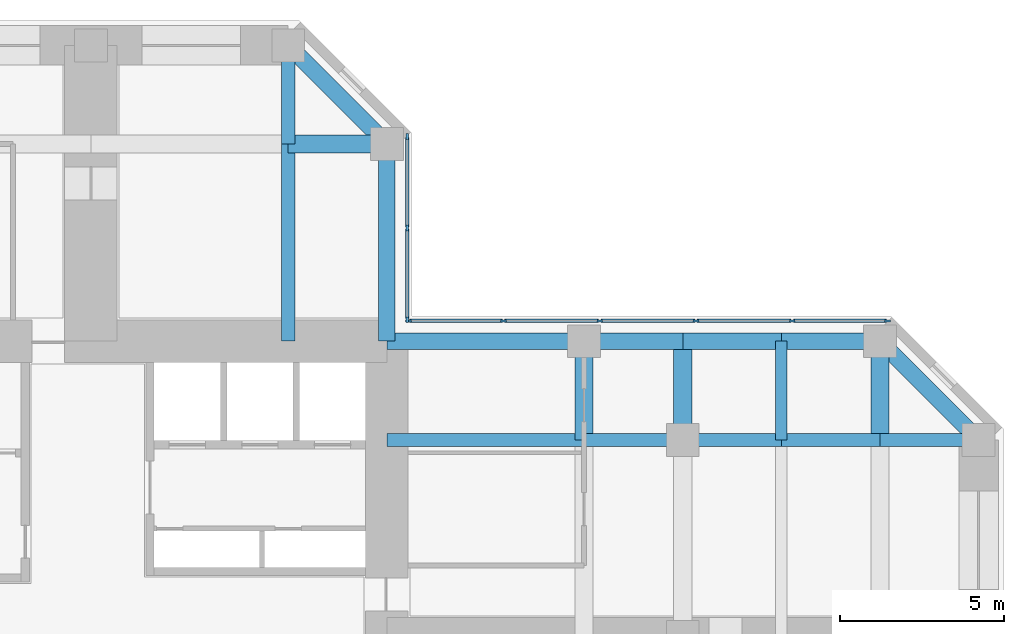
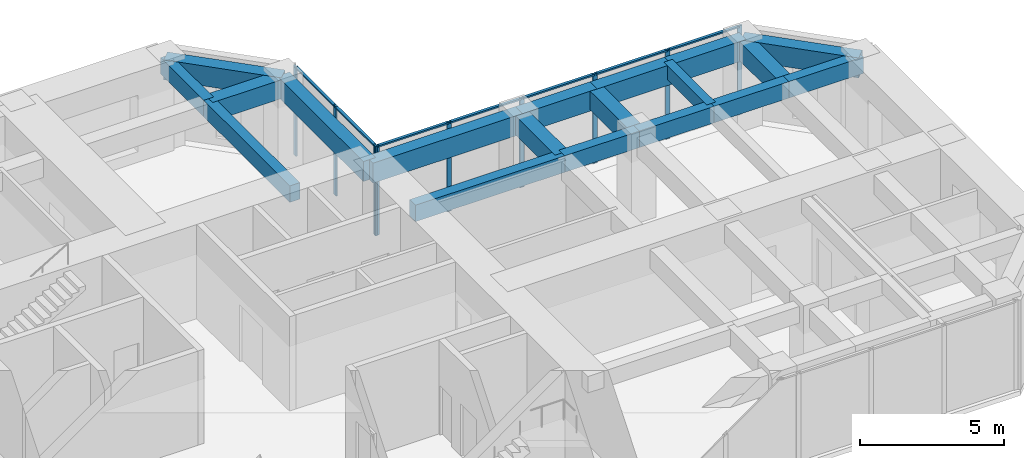
# One storey, part 6 of 12: 19 beams, 16 members, 2 elements without a shape of their own.
"""IFC4 building model written with IfcOpenShell, lengths in metres."""

from ifc_helpers import new_model, si_unit, direction, frame, origin, origin_2d, place, context, subcontext, project, spatial, rectangle, extrude, material, material_profile, profile_set, type_object, element, aggregate, save


model = new_model("IFC4")

# Units and contexts
model_context = context("Model", 3, precision=1e-05, world=origin(), true_north=direction((0.0, 1.0)))
body_context = subcontext(model_context, "Body", "Model", "MODEL_VIEW")
ifc_project = project(units=[si_unit("LENGTHUNIT", "METRE"), si_unit("AREAUNIT", "SQUARE_METRE"), si_unit("VOLUMEUNIT", "CUBIC_METRE"), si_unit("PLANEANGLEUNIT", "RADIAN"), si_unit("MASSUNIT", "GRAM", prefix="KILO")], contexts=[model_context])

# Site, building, storey
site_placement = place(None, origin())
site = spatial("IfcSite", under=ifc_project, at=site_placement, CompositionType="ELEMENT")
building_placement = place(site_placement, origin())
building = spatial("IfcBuilding", under=site, at=building_placement, Name="Torre Cruceta", CompositionType="ELEMENT")
storey_placement = place(building_placement, frame((0.0, 0.0, 120.5)))
storey = spatial("IfcBuildingStorey", under=building, at=storey_placement, Name="L29", CompositionType="ELEMENT", Elevation=120.5)

# Beams
ifc_material_1 = material(Name="Concrete G60 (fck 60 MPa)", Category="concrete")
ifc_material_profile_1 = material_profile(ifc_material_1, rectangle(XDim=0.39990234375, YDim=0.699951171875, at=origin_2d()), Name="RC 400X700")
ifc_profile_set_1 = profile_set([ifc_material_profile_1], Name="Concrete G60 (fck 60 MPa)")
beam_type_1 = type_object("IfcBeamType", Name="COLUMN LINE BEAM RC 400X700", PredefinedType="BEAM", material=ifc_profile_set_1)
beam_1_placement = place(storey_placement, frame((6.0, 9.0, 3.449951171875), z_axis=(0.0, 1.0, 0.0), x_axis=(-1.0, 0.0, 0.0)))
element("IfcBeam", 1, at=beam_1_placement, inside=storey, type_object=beam_type_1, Name="LB5 L29 N col- 1", PredefinedType="BEAM", context=body_context, shape_type="SweptSolid", body=[
    extrude(rectangle(XDim=0.39990234375, YDim=0.699951171875, at=origin_2d()), origin(), (0.0, 0.0, 1.0), 6.0),
])
beam_2_placement = place(storey_placement, frame((6.0, 15.0, 3.449951171875), z_axis=(0.0, 1.0, 0.0), x_axis=(-1.0, 0.0, 0.0)))
element("IfcBeam", 2, at=beam_2_placement, inside=storey, type_object=beam_type_1, Name="LB5 L29 N col- 2", PredefinedType="BEAM", context=body_context, shape_type="SweptSolid", body=[
    extrude(rectangle(XDim=0.39990234375, YDim=0.699951171875, at=origin_2d()), origin(), (0.0, 0.0, 1.0), 3.0),
])
beam_3_placement = place(storey_placement, frame((9.0, 6.0, 3.449951171875), z_axis=(1.0, 0.0, 0.0), x_axis=(0.0, 1.0, 0.0)))
element("IfcBeam", 3, at=beam_3_placement, inside=storey, type_object=beam_type_1, Name="LB5 L29 E col+ 1", PredefinedType="BEAM", context=body_context, shape_type="SweptSolid", body=[
    extrude(rectangle(XDim=0.39990234375, YDim=0.699951171875, at=origin_2d()), origin(), (0.0, 0.0, 1.0), 6.0),
])
for number, where, z_axis, x_axis, name in (
    (4, (15.0, 6.0, 3.449951171875), (1.0, 0.0, 0.0), (0.0, 1.0, 0.0), "LB5 L29 E col+ 2"),
    (5, (18.0, 6.0, 3.449951171875), (1.0, 0.0, 0.0), (0.0, 1.0, 0.0), "LB5 L29 E col+ 3"),
    (6, (21.0, 6.0, 3.449951171875), (1.0, 0.0, 0.0), (0.0, 1.0, 0.0), "LB5 L29 E col+ 4"),
    (7, (24.0, 6.0, 3.449951171875), (1.0, 0.0, 0.0), (0.0, 1.0, 0.0), "LB5 L29 E col+ 5"),
):
    element("IfcBeam", number, at=place(storey_placement, frame(where, z_axis=z_axis, x_axis=x_axis)), inside=storey, type_object=beam_type_1, Name=name, PredefinedType="BEAM", context=body_context, shape_type="SweptSolid", body=[
        extrude(rectangle(XDim=0.39990234375, YDim=0.699951171875, at=origin_2d()), origin(), (0.0, 0.0, 1.0), 3.0),
    ])
ifc_material_2 = material(Name="Concrete G60 (fck 60 MPa)", Category="concrete")
ifc_material_profile_2 = material_profile(ifc_material_2, rectangle(XDim=0.550048828125, YDim=0.800048828125, at=origin_2d()), Name="RC 550X800")
ifc_profile_set_2 = profile_set([ifc_material_profile_2], Name="Concrete G60 (fck 60 MPa)")
beam_type_2 = type_object("IfcBeamType", Name="CROSS BEAM RC 550X800", PredefinedType="BEAM", material=ifc_profile_set_2)
for number, where, z_axis, x_axis, name in (
    (8, (9.0, 15.0, 3.39990234375), (-1.0, 0.0, 0.0), (0.0, -1.0, 0.0), "GB5 L29 N cross15 1"),
    (9, (15.0, 6.0, 3.39990234375), (0.0, 1.0, 0.0), (-1.0, 0.0, 0.0), "GB5 L29 E cross15 4"),
    (10, (18.0, 6.0, 3.39990234375), (0.0, 1.0, 0.0), (-1.0, 0.0, 0.0), "GB5 L29 E cross18 4"),
    (11, (24.0, 6.0, 3.39990234375), (0.0, 1.0, 0.0), (-1.0, 0.0, 0.0), "GB5 L29 E cross24 4"),
):
    element("IfcBeam", number, at=place(storey_placement, frame(where, z_axis=z_axis, x_axis=x_axis)), inside=storey, type_object=beam_type_2, Name=name, PredefinedType="BEAM", context=body_context, shape_type="SweptSolid", body=[
        extrude(rectangle(XDim=0.550048828125, YDim=0.800048828125, at=origin_2d()), origin(), (0.0, 0.0, 1.0), 3.0),
    ])

# Curtain wall, members
ifc_material_3 = material(Name="Aluminium unitised curtain wall", Category="aluminium")
curtain_wall_type = type_object("IfcCurtainWallType", Name="CURTAIN WALL CW-B OFFICE MID RISE", PredefinedType="USERDEFINED", material=ifc_material_3)
curtain_wall_1_placement = place(storey_placement, origin())
curtain_wall_1 = element("IfcCurtainWall", 12, at=curtain_wall_1_placement, inside=storey, type_object=curtain_wall_type, Name="CW-B L29 E side 04", ObjectType="UNITISED", PredefinedType="USERDEFINED")
ifc_material_4 = material(Name="Aluminium mullion", Category="aluminium")
ifc_material_profile_3 = material_profile(ifc_material_4, rectangle(XDim=0.06494140625, YDim=0.179931640625, at=origin_2d()), Name="AL 65X180")
ifc_profile_set_3 = profile_set([ifc_material_profile_3], Name="Aluminium mullion")
member_type_1 = type_object("IfcMemberType", Name="CW-B MULLION 65X180", PredefinedType="MULLION", material=ifc_profile_set_3)
member_1_placement = place(storey_placement, frame((24.224365234375, 9.6201171875, 0.0), z_axis=(0.0, 0.0, 1.0), x_axis=(0.0, -1.0, 0.0)))
member_1 = element("IfcMember", 13, at=member_1_placement, type_object=member_type_1, Name="CW-B mullion 1", PredefinedType="MULLION", context=body_context, shape_type="SweptSolid", body=[
    extrude(rectangle(XDim=0.06494140625, YDim=0.179931640625, at=origin_2d()), origin(), (0.0, 0.0, 1.0), 3.800048828125),
])
member_2_placement = place(storey_placement, frame((21.329345703125, 9.6201171875, 0.0), z_axis=(0.0, 0.0, 1.0), x_axis=(0.0, -1.0, 0.0)))
member_2 = element("IfcMember", 14, at=member_2_placement, type_object=member_type_1, Name="CW-B mullion 2", PredefinedType="MULLION", context=body_context, shape_type="SweptSolid", body=[
    extrude(rectangle(XDim=0.06494140625, YDim=0.179931640625, at=origin_2d()), origin(), (0.0, 0.0, 1.0), 3.800048828125),
])
member_3_placement = place(storey_placement, frame((18.402099609375, 9.6201171875, 0.0), z_axis=(0.0, 0.0, 1.0), x_axis=(0.0, -1.0, 0.0)))
member_3 = element("IfcMember", 15, at=member_3_placement, type_object=member_type_1, Name="CW-B mullion 3", PredefinedType="MULLION", context=body_context, shape_type="SweptSolid", body=[
    extrude(rectangle(XDim=0.06494140625, YDim=0.179931640625, at=origin_2d()), origin(), (0.0, 0.0, 1.0), 3.800048828125),
])
member_4_placement = place(storey_placement, frame((15.474609375, 9.6201171875, 0.0), z_axis=(0.0, 0.0, 1.0), x_axis=(0.0, -1.0, 0.0)))
member_4 = element("IfcMember", 16, at=member_4_placement, type_object=member_type_1, Name="CW-B mullion 4", PredefinedType="MULLION", context=body_context, shape_type="SweptSolid", body=[
    extrude(rectangle(XDim=0.06494140625, YDim=0.179931640625, at=origin_2d()), origin(), (0.0, 0.0, 1.0), 3.800048828125),
])
member_5_placement = place(storey_placement, frame((12.54736328125, 9.6201171875, 0.0), z_axis=(0.0, 0.0, 1.0), x_axis=(0.0, -1.0, 0.0)))
member_5 = element("IfcMember", 17, at=member_5_placement, type_object=member_type_1, Name="CW-B mullion 5", PredefinedType="MULLION", context=body_context, shape_type="SweptSolid", body=[
    extrude(rectangle(XDim=0.06494140625, YDim=0.179931640625, at=origin_2d()), origin(), (0.0, 0.0, 1.0), 3.800048828125),
])
member_6_placement = place(storey_placement, frame((9.652587890625, 9.6201171875, 0.0), z_axis=(0.0, 0.0, 1.0), x_axis=(0.0, -1.0, 0.0)))
member_6 = element("IfcMember", 18, at=member_6_placement, type_object=member_type_1, Name="CW-B mullion 6", PredefinedType="MULLION", context=body_context, shape_type="SweptSolid", body=[
    extrude(rectangle(XDim=0.06494140625, YDim=0.179931640625, at=origin_2d()), origin(), (0.0, 0.0, 1.0), 3.800048828125),
])

curtain_wall_2_placement = place(storey_placement, origin())
curtain_wall_2 = element("IfcCurtainWall", 19, at=curtain_wall_2_placement, inside=storey, type_object=curtain_wall_type, Name="CW-B L29 N side 05", ObjectType="UNITISED", PredefinedType="USERDEFINED")
member_7_placement = place(storey_placement, frame((9.6201171875, 9.652587890625, 0.0), z_axis=(0.0, 0.0, 1.0), x_axis=(-1.0, 0.0, 0.0)))
member_7 = element("IfcMember", 20, at=member_7_placement, type_object=member_type_1, Name="CW-B mullion 1", PredefinedType="MULLION", context=body_context, shape_type="SweptSolid", body=[
    extrude(rectangle(XDim=0.06494140625, YDim=0.179931640625, at=origin_2d()), origin(), (0.0, 0.0, 1.0), 3.800048828125),
])
member_8_placement = place(storey_placement, frame((9.6201171875, 12.4384765625, 0.0), z_axis=(0.0, 0.0, 1.0), x_axis=(-1.0, 0.0, 0.0)))
member_8 = element("IfcMember", 21, at=member_8_placement, type_object=member_type_1, Name="CW-B mullion 2", PredefinedType="MULLION", context=body_context, shape_type="SweptSolid", body=[
    extrude(rectangle(XDim=0.06494140625, YDim=0.179931640625, at=origin_2d()), origin(), (0.0, 0.0, 1.0), 3.800048828125),
])
member_9_placement = place(storey_placement, frame((9.6201171875, 15.224365234375, 0.0), z_axis=(0.0, 0.0, 1.0), x_axis=(-1.0, 0.0, 0.0)))
member_9 = element("IfcMember", 22, at=member_9_placement, type_object=member_type_1, Name="CW-B mullion 3", PredefinedType="MULLION", context=body_context, shape_type="SweptSolid", body=[
    extrude(rectangle(XDim=0.06494140625, YDim=0.179931640625, at=origin_2d()), origin(), (0.0, 0.0, 1.0), 3.800048828125),
])

# Member
ifc_material_5 = material(Name="Aluminium transom", Category="aluminium")
ifc_material_profile_4 = material_profile(ifc_material_5, rectangle(XDim=0.110107421875, YDim=0.06494140625, at=origin_2d()), Name="AL 110X65")
ifc_profile_set_4 = profile_set([ifc_material_profile_4], Name="Aluminium transom")
member_type_2 = type_object("IfcMemberType", Name="CW-B TRANSOM 65X110", PredefinedType="USERDEFINED", material=ifc_profile_set_4)
member_10_placement = place(storey_placement, frame((24.19189453125, 9.6201171875, 3.767578125), z_axis=(-1.0, 0.0, 0.0), x_axis=(0.0, -1.0, 0.0)))
member_10 = element("IfcMember", 23, at=member_10_placement, type_object=member_type_2, Name="CW-B transom 1", ObjectType="TRANSOM", PredefinedType="USERDEFINED", context=body_context, shape_type="SweptSolid", body=[
    extrude(rectangle(XDim=0.110107421875, YDim=0.06494140625, at=origin_2d()), origin(), (0.0, 0.0, 1.0), 2.829833984375),
])

member_11_placement = place(storey_placement, frame((21.296875, 9.6201171875, 3.767578125), z_axis=(-1.0, 0.0, 0.0), x_axis=(0.0, -1.0, 0.0)))
member_11 = element("IfcMember", 24, at=member_11_placement, type_object=member_type_2, Name="CW-B transom 2", ObjectType="TRANSOM", PredefinedType="USERDEFINED", context=body_context, shape_type="SweptSolid", body=[
    extrude(rectangle(XDim=0.110107421875, YDim=0.06494140625, at=origin_2d()), origin(), (0.0, 0.0, 1.0), 2.8623046875),
])

member_12_placement = place(storey_placement, frame((18.36962890625, 9.6201171875, 3.767578125), z_axis=(-1.0, 0.0, 0.0), x_axis=(0.0, -1.0, 0.0)))
member_12 = element("IfcMember", 25, at=member_12_placement, type_object=member_type_2, Name="CW-B transom 3", ObjectType="TRANSOM", PredefinedType="USERDEFINED", context=body_context, shape_type="SweptSolid", body=[
    extrude(rectangle(XDim=0.110107421875, YDim=0.06494140625, at=origin_2d()), origin(), (0.0, 0.0, 1.0), 2.8623046875),
])

member_13_placement = place(storey_placement, frame((15.442138671875, 9.6201171875, 3.767578125), z_axis=(-1.0, 0.0, 0.0), x_axis=(0.0, -1.0, 0.0)))
member_13 = element("IfcMember", 26, at=member_13_placement, type_object=member_type_2, Name="CW-B transom 4", ObjectType="TRANSOM", PredefinedType="USERDEFINED", context=body_context, shape_type="SweptSolid", body=[
    extrude(rectangle(XDim=0.110107421875, YDim=0.06494140625, at=origin_2d()), origin(), (0.0, 0.0, 1.0), 2.8623046875),
])

member_14_placement = place(storey_placement, frame((12.514892578125, 9.6201171875, 3.767578125), z_axis=(-1.0, 0.0, 0.0), x_axis=(0.0, -1.0, 0.0)))
member_14 = element("IfcMember", 27, at=member_14_placement, type_object=member_type_2, Name="CW-B transom 5", ObjectType="TRANSOM", PredefinedType="USERDEFINED", context=body_context, shape_type="SweptSolid", body=[
    extrude(rectangle(XDim=0.110107421875, YDim=0.06494140625, at=origin_2d()), origin(), (0.0, 0.0, 1.0), 2.829833984375),
])

aggregate(curtain_wall_1, [member_1, member_2, member_3, member_4, member_5, member_6, member_10, member_11, member_12, member_13, member_14])

member_15_placement = place(storey_placement, frame((9.6201171875, 9.68505859375, 3.767578125), z_axis=(0.0, 1.0, 0.0), x_axis=(-1.0, 0.0, 0.0)))
member_15 = element("IfcMember", 28, at=member_15_placement, type_object=member_type_2, Name="CW-B transom 1", ObjectType="TRANSOM", PredefinedType="USERDEFINED", context=body_context, shape_type="SweptSolid", body=[
    extrude(rectangle(XDim=0.110107421875, YDim=0.06494140625, at=origin_2d()), origin(), (0.0, 0.0, 1.0), 2.720947265625),
])

member_16_placement = place(storey_placement, frame((9.6201171875, 12.470947265625, 3.767578125), z_axis=(0.0, 1.0, 0.0), x_axis=(-1.0, 0.0, 0.0)))
member_16 = element("IfcMember", 29, at=member_16_placement, type_object=member_type_2, Name="CW-B transom 2", ObjectType="TRANSOM", PredefinedType="USERDEFINED", context=body_context, shape_type="SweptSolid", body=[
    extrude(rectangle(XDim=0.110107421875, YDim=0.06494140625, at=origin_2d()), origin(), (0.0, 0.0, 1.0), 2.720947265625),
])

aggregate(curtain_wall_2, [member_7, member_8, member_9, member_15, member_16])

# Beams
ifc_material_6 = material(Name="Concrete G60 (fck 60 MPa)", Category="concrete")
ifc_material_profile_5 = material_profile(ifc_material_6, rectangle(XDim=0.35009765625, YDim=0.60009765625, at=origin_2d()), Name="RC 350X600")
ifc_profile_set_5 = profile_set([ifc_material_profile_5], Name="Concrete G60 (fck 60 MPa)")
beam_type_3 = type_object("IfcBeamType", Name="SECONDARY BEAM RC 350X600", PredefinedType="JOIST", material=ifc_profile_set_5)
beam_4_placement = place(storey_placement, frame((21.0, 6.0, 3.5), z_axis=(0.0, 1.0, 0.0), x_axis=(-1.0, 0.0, 0.0)))
element("IfcBeam", 30, at=beam_4_placement, inside=storey, type_object=beam_type_3, Name="JB5 L29 E sec21 4", PredefinedType="JOIST", context=body_context, shape_type="SweptSolid", body=[
    extrude(rectangle(XDim=0.35009765625, YDim=0.60009765625, at=origin_2d()), origin(), (0.0, 0.0, 1.0), 3.0),
])
ifc_material_7 = material(Name="Concrete G60 (fck 60 MPa)", Category="concrete")
ifc_material_profile_6 = material_profile(ifc_material_7, rectangle(XDim=0.5, YDim=0.85009765625, at=origin_2d()), Name="RC 500X850")
ifc_profile_set_6 = profile_set([ifc_material_profile_6], Name="Concrete G60 (fck 60 MPa)")
beam_type_4 = type_object("IfcBeamType", Name="SPANDREL BEAM RC 500X850", PredefinedType="SPANDREL", material=ifc_profile_set_6)
beam_5_placement = place(storey_placement, frame((9.0, 9.0, 3.375), z_axis=(0.0, 1.0, 0.0), x_axis=(-1.0, 0.0, 0.0)))
element("IfcBeam", 31, at=beam_5_placement, inside=storey, type_object=beam_type_4, Name="SB5 L29 N side- 1", PredefinedType="SPANDREL", context=body_context, shape_type="SweptSolid", body=[
    extrude(rectangle(XDim=0.5, YDim=0.85009765625, at=origin_2d()), origin(), (0.0, 0.0, 1.0), 6.0),
])
beam_6_placement = place(storey_placement, frame((9.0, 15.0, 3.375), z_axis=(-0.707106781187, 0.707106781187, 0.0), x_axis=(-0.707106781187, -0.707106781187, 0.0)))
element("IfcBeam", 32, at=beam_6_placement, inside=storey, type_object=beam_type_4, Name="SB5 L29 N side- 2", PredefinedType="SPANDREL", context=body_context, shape_type="SweptSolid", body=[
    extrude(rectangle(XDim=0.5, YDim=0.85009765625, at=origin_2d()), origin(), (0.0, 0.0, 1.0), 4.24267578125),
])
beam_7_placement = place(storey_placement, frame((9.0, 9.0, 3.375), z_axis=(1.0, 0.0, 0.0), x_axis=(0.0, 1.0, 0.0)))
element("IfcBeam", 33, at=beam_7_placement, inside=storey, type_object=beam_type_4, Name="SB5 L29 E side+ 1", PredefinedType="SPANDREL", context=body_context, shape_type="SweptSolid", body=[
    extrude(rectangle(XDim=0.5, YDim=0.85009765625, at=origin_2d()), origin(), (0.0, 0.0, 1.0), 6.0),
])
for number, where, z_axis, x_axis, name in (
    (34, (15.0, 9.0, 3.375), (1.0, 0.0, 0.0), (0.0, 1.0, 0.0), "SB5 L29 E side+ 2"),
    (35, (18.0, 9.0, 3.375), (1.0, 0.0, 0.0), (0.0, 1.0, 0.0), "SB5 L29 E side+ 3"),
    (36, (21.0, 9.0, 3.375), (1.0, 0.0, 0.0), (0.0, 1.0, 0.0), "SB5 L29 E side+ 4"),
):
    element("IfcBeam", number, at=place(storey_placement, frame(where, z_axis=z_axis, x_axis=x_axis)), inside=storey, type_object=beam_type_4, Name=name, PredefinedType="SPANDREL", context=body_context, shape_type="SweptSolid", body=[
        extrude(rectangle(XDim=0.5, YDim=0.85009765625, at=origin_2d()), origin(), (0.0, 0.0, 1.0), 3.0),
    ])
beam_8_placement = place(storey_placement, frame((24.0, 9.0, 3.375), z_axis=(0.707106781187, -0.707106781187, 0.0), x_axis=(0.707106781187, 0.707106781187, 0.0)))
element("IfcBeam", 37, at=beam_8_placement, inside=storey, type_object=beam_type_4, Name="SB5 L29 E side+ 5", PredefinedType="SPANDREL", context=body_context, shape_type="SweptSolid", body=[
    extrude(rectangle(XDim=0.5, YDim=0.85009765625, at=origin_2d()), origin(), (0.0, 0.0, 1.0), 4.24267578125),
])

save(model, "model.ifc")
